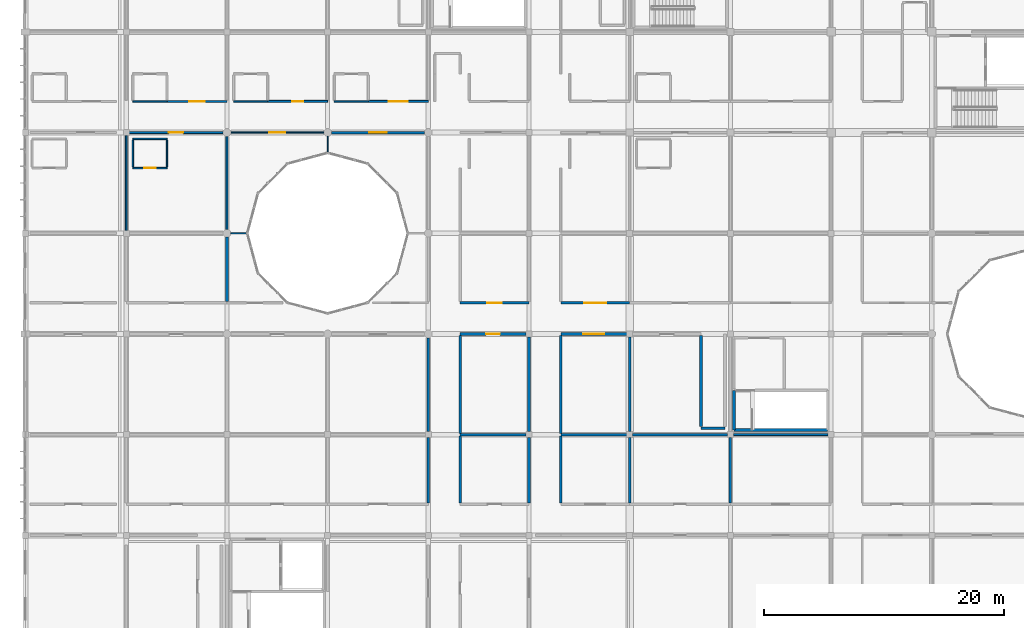
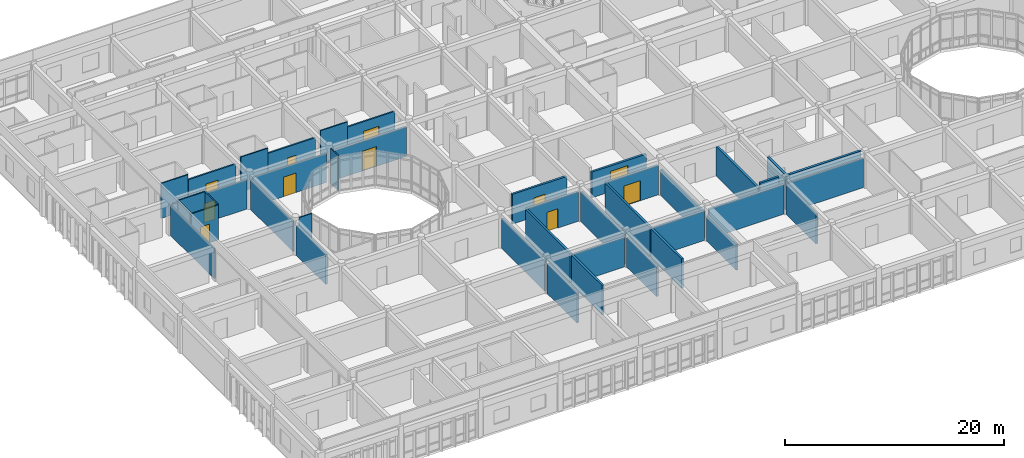
# One storey, part 84 of 119: 41 walls, 11 doors, 11 openings.
"""IFC4 building model written with IfcOpenShell, lengths in metres."""

from ifc_helpers import new_model, si_unit, direction, frame, frame_2d, origin, place, context, subcontext, project, spatial, rectangle, extrude, material, layer, layer_set, type_object, element, fill, save


model = new_model("IFC4")

# Units and contexts
model_context = context("Model", 3, precision=1e-05, world=origin(), true_north=direction((0.0, 1.0)))
body_context = subcontext(model_context, "Body", "Model", "MODEL_VIEW")
ifc_project = project(units=[si_unit("LENGTHUNIT", "METRE"), si_unit("AREAUNIT", "SQUARE_METRE"), si_unit("VOLUMEUNIT", "CUBIC_METRE"), si_unit("PLANEANGLEUNIT", "RADIAN"), si_unit("MASSUNIT", "GRAM", prefix="KILO")], contexts=[model_context])

# Site, building, storey
site_placement = place(None, origin())
site = spatial("IfcSite", under=ifc_project, at=site_placement, CompositionType="ELEMENT")
building_placement = place(site_placement, origin())
building = spatial("IfcBuilding", under=site, at=building_placement, Name="Bramfleet General Hospital", CompositionType="ELEMENT")
storey_placement = place(building_placement, frame((0.0, 0.0, 14.39990234375)))
storey = spatial("IfcBuildingStorey", under=building, at=storey_placement, Name="L03", CompositionType="ELEMENT", Elevation=14.39990234375)

# Walls
ifc_material_1 = material(Name="Concrete C35/45", Category="concrete")
ifc_layer_1 = layer(ifc_material_1, 0.219970703125, Name="WT-IW-01")
ifc_layer_set_1 = layer_set([ifc_layer_1], Name="Concrete C35/45")
wall_type_1 = type_object("IfcWallType", Name="WT-IW-01", PredefinedType="PARTITIONING", material=ifc_layer_set_1)
wall_1_placement = place(storey_placement, frame((36.25, 67.199951171875, 0.0), z_axis=(0.0, 0.0, 1.0), x_axis=(1.0, 0.0, 0.0)))
element("IfcWall", 1, at=wall_1_placement, inside=storey, type_object=wall_type_1, Name="L03 Interior Partition IW-L03-2571", PredefinedType="PARTITIONING", context=body_context, shape_type="SweptSolid", body=[
    extrude(rectangle(XDim=5.5048828125, YDim=0.219970703125, at=frame_2d((2.75244140625, 0.0))), origin(), (0.0, 0.0, 1.0), 3.280029296875),
])
wall_2_placement = place(storey_placement, frame((44.64990234375, 67.199951171875, 0.0), z_axis=(0.0, 0.0, 1.0), x_axis=(1.0, 0.0, 0.0)))
element("IfcWall", 2, at=wall_2_placement, inside=storey, type_object=wall_type_1, Name="L03 Interior Partition IW-L03-2572", PredefinedType="PARTITIONING", context=body_context, shape_type="SweptSolid", body=[
    extrude(rectangle(XDim=5.505126953125, YDim=0.219970703125, at=frame_2d((2.75244140625, 0.0))), origin(), (0.0, 0.0, 1.0), 3.280029296875),
])
wall_3_placement = place(storey_placement, frame((50.64501953125, 67.199951171875, 0.0), z_axis=(0.0, 0.0, 1.0), x_axis=(1.0, 0.0, 0.0)))
element("IfcWall", 3, at=wall_3_placement, inside=storey, type_object=wall_type_1, Name="L03 Interior Partition IW-L03-2573", PredefinedType="PARTITIONING", context=body_context, shape_type="SweptSolid", body=[
    extrude(rectangle(XDim=7.909912109375, YDim=0.219970703125, at=frame_2d((3.955078125, 0.0))), origin(), (0.0, 0.0, 1.0), 3.280029296875),
])
wall_4_placement = place(storey_placement, frame((56.35009765625, 67.75, 0.0), z_axis=(0.0, 0.0, 1.0), x_axis=(1.0, 0.0, 0.0)))
element("IfcWall", 4, at=wall_4_placement, inside=storey, type_object=wall_type_1, Name="L03 Interior Partition IW-L03-2582", PredefinedType="PARTITIONING", context=body_context, shape_type="SweptSolid", body=[
    extrude(rectangle(XDim=2.0, YDim=0.219970703125, at=frame_2d((1.0, 0.0))), origin(), (0.0, 0.0, 1.0), 3.89013671875),
])

# Wall, opening, door
wall_5_placement = place(storey_placement, frame((36.25, 75.60009765625, 0.0), z_axis=(0.0, 0.0, 1.0), x_axis=(1.0, 0.0, 0.0)))
wall_5 = element("IfcWall", 5, at=wall_5_placement, inside=storey, type_object=wall_type_1, Name="L03 Interior Partition IW-L03-2587", PredefinedType="PARTITIONING", context=body_context, shape_type="SweptSolid", body=[
    extrude(rectangle(XDim=5.5048828125, YDim=0.219970703125, at=frame_2d((2.75244140625, 0.0))), origin(), (0.0, 0.0, 1.0), 3.280029296875),
])
opening_1_placement = place(wall_5_placement, frame((2.177490234375, 0.0, 0.0)))
opening_1 = element("IfcOpeningElement", 6, at=opening_1_placement, cuts=wall_5, Name="Opening D1068", PredefinedType="OPENING", context=body_context, shape_type="SweptSolid", body=[
    extrude(rectangle(XDim=1.14990234375, YDim=2.14990234375, at=frame_2d((0.574951171875, 1.074951171875))), frame((0.0, 0.119873046875, 0.0), z_axis=(0.0, -1.0, 0.0), x_axis=(1.0, 0.0, 0.0)), (0.0, 0.0, 1.0), 0.239990234375),
])
ifc_material_2 = material(Name="Stainless steel and acoustic timber leaf", Category="steel")
door_type_1 = type_object("IfcDoorType", Name="DR-D-12", OperationType="NOTDEFINED", PredefinedType="DOOR", material=ifc_material_2)
door_1_placement = place(opening_1_placement, origin())
door_1 = element("IfcDoor", 7, at=door_1_placement, inside=storey, type_object=door_type_1, Name="Surgical Air-Handling Plant Room L03-0408 Door D1068", OperationType="SINGLE_SWING_LEFT", OverallHeight=2.14990234375, OverallWidth=1.14990234375, PredefinedType="DOOR", context=body_context, shape_type="SweptSolid", body=[
    extrude(rectangle(XDim=1.14990234375, YDim=2.14990234375, at=frame_2d((0.574951171875, 1.074951171875))), frame((0.0, 0.02490234375, 0.0), z_axis=(0.0, -1.0, 0.0), x_axis=(1.0, 0.0, 0.0)), (0.0, 0.0, 1.0), 0.050048828125),
])
fill(opening_1, door_1)

wall_6_placement = place(storey_placement, frame((44.64990234375, 75.60009765625, 0.0), z_axis=(0.0, 0.0, 1.0), x_axis=(1.0, 0.0, 0.0)))
wall_6 = element("IfcWall", 8, at=wall_6_placement, inside=storey, type_object=wall_type_1, Name="L03 Interior Partition IW-L03-2588", PredefinedType="PARTITIONING", context=body_context, shape_type="SweptSolid", body=[
    extrude(rectangle(XDim=5.505126953125, YDim=0.219970703125, at=frame_2d((2.75244140625, 0.0))), origin(), (0.0, 0.0, 1.0), 3.280029296875),
])
opening_2_placement = place(wall_6_placement, frame((1.882568359375, 0.0, 0.0)))
opening_2 = element("IfcOpeningElement", 9, at=opening_2_placement, cuts=wall_6, Name="Opening D1075", PredefinedType="OPENING", context=body_context, shape_type="SweptSolid", body=[
    extrude(rectangle(XDim=1.739990234375, YDim=2.239990234375, at=frame_2d((0.8701171875, 1.1201171875))), frame((0.0, 0.119873046875, 0.0), z_axis=(0.0, -1.0, 0.0), x_axis=(1.0, 0.0, 0.0)), (0.0, 0.0, 1.0), 0.239990234375),
])
door_type_2 = type_object("IfcDoorType", Name="DR-D-19", OperationType="NOTDEFINED", PredefinedType="DOOR", material=ifc_material_2)
door_2_placement = place(opening_2_placement, origin())
door_2 = element("IfcDoor", 10, at=door_2_placement, inside=storey, type_object=door_type_2, Name="Surgical Air-Handling Plant Room L03-0508 Door D1075", OperationType="DOUBLE_SWING_RIGHT", OverallHeight=2.239990234375, OverallWidth=1.739990234375, PredefinedType="DOOR", context=body_context, shape_type="SweptSolid", body=[
    extrude(rectangle(XDim=1.739990234375, YDim=2.239990234375, at=frame_2d((0.8701171875, 1.1201171875))), frame((0.0, 0.02490234375, 0.0), z_axis=(0.0, -1.0, 0.0), x_axis=(1.0, 0.0, 0.0)), (0.0, 0.0, 1.0), 0.050048828125),
])
fill(opening_2, door_2)

wall_7_placement = place(storey_placement, frame((36.25, 78.199951171875, 0.0), z_axis=(0.0, 0.0, 1.0), x_axis=(1.0, 0.0, 0.0)))
wall_7 = element("IfcWall", 11, at=wall_7_placement, inside=storey, type_object=wall_type_1, Name="L03 Interior Partition IW-L03-2600", PredefinedType="PARTITIONING", context=body_context, shape_type="SweptSolid", body=[
    extrude(rectangle(XDim=5.75, YDim=0.219970703125, at=frame_2d((2.875, 0.0))), origin(), (0.0, 0.0, 1.0), 3.330078125),
])
opening_3_placement = place(wall_7_placement, frame((2.27490234375, 0.0, 0.0)))
opening_3 = element("IfcOpeningElement", 12, at=opening_3_placement, cuts=wall_7, Name="Opening D1069", PredefinedType="OPENING", context=body_context, shape_type="SweptSolid", body=[
    extrude(rectangle(XDim=1.199951171875, YDim=2.14990234375, at=frame_2d((0.60009765625, 1.074951171875))), frame((0.0, 0.119873046875, 0.0), z_axis=(0.0, -1.0, 0.0), x_axis=(1.0, 0.0, 0.0)), (0.0, 0.0, 1.0), 0.239990234375),
])
door_type_3 = type_object("IfcDoorType", Name="DR-D-13", OperationType="NOTDEFINED", PredefinedType="DOOR", material=ifc_material_2)
door_3_placement = place(opening_3_placement, origin())
door_3 = element("IfcDoor", 13, at=door_3_placement, inside=storey, type_object=door_type_3, Name="Surgical Air-Handling Plant Room L03-0409 Door D1069", OperationType="SINGLE_SWING_RIGHT", OverallHeight=2.14990234375, OverallWidth=1.199951171875, PredefinedType="DOOR", context=body_context, shape_type="SweptSolid", body=[
    extrude(rectangle(XDim=1.199951171875, YDim=2.14990234375, at=frame_2d((0.60009765625, 1.074951171875))), frame((0.0, 0.02490234375, 0.0), z_axis=(0.0, -1.0, 0.0), x_axis=(1.0, 0.0, 0.0)), (0.0, 0.0, 1.0), 0.050048828125),
])
fill(opening_3, door_3)

wall_8_placement = place(storey_placement, frame((44.64990234375, 78.199951171875, 0.0), z_axis=(0.0, 0.0, 1.0), x_axis=(1.0, 0.0, 0.0)))
wall_8 = element("IfcWall", 14, at=wall_8_placement, inside=storey, type_object=wall_type_1, Name="L03 Interior Partition IW-L03-2601", PredefinedType="PARTITIONING", context=body_context, shape_type="SweptSolid", body=[
    extrude(rectangle(XDim=5.75, YDim=0.219970703125, at=frame_2d((2.875, 0.0))), origin(), (0.0, 0.0, 1.0), 2.880126953125),
])
opening_4_placement = place(wall_8_placement, frame((1.955078125, 0.0, 0.0)))
opening_4 = element("IfcOpeningElement", 15, at=opening_4_placement, cuts=wall_8, Name="Opening D1076", PredefinedType="OPENING", context=body_context, shape_type="SweptSolid", body=[
    extrude(rectangle(XDim=1.840087890625, YDim=2.280029296875, at=frame_2d((0.919921875, 1.14013671875))), frame((0.0, 0.119873046875, 0.0), z_axis=(0.0, -1.0, 0.0), x_axis=(1.0, 0.0, 0.0)), (0.0, 0.0, 1.0), 0.239990234375),
])
door_type_4 = type_object("IfcDoorType", Name="DR-D-20", OperationType="NOTDEFINED", PredefinedType="DOOR", material=ifc_material_2)
door_4_placement = place(opening_4_placement, origin())
door_4 = element("IfcDoor", 16, at=door_4_placement, inside=storey, type_object=door_type_4, Name="Surgical Air-Handling Plant Room L03-0509 Door D1076", OperationType="DOUBLE_SWING_LEFT", OverallHeight=2.280029296875, OverallWidth=1.840087890625, PredefinedType="DOOR", context=body_context, shape_type="SweptSolid", body=[
    extrude(rectangle(XDim=1.840087890625, YDim=2.280029296875, at=frame_2d((0.919921875, 1.14013671875))), frame((0.0, 0.02490234375, 0.0), z_axis=(0.0, -1.0, 0.0), x_axis=(1.0, 0.0, 0.0)), (0.0, 0.0, 1.0), 0.050048828125),
])
fill(opening_4, door_4)

wall_9_placement = place(storey_placement, frame((25.52001953125, 92.39990234375, 0.0), z_axis=(0.0, 0.0, 1.0), x_axis=(1.0, 0.0, 0.0)))
wall_9 = element("IfcWall", 17, at=wall_9_placement, inside=storey, type_object=wall_type_1, Name="L03 Interior Partition IW-L03-2641", PredefinedType="PARTITIONING", context=body_context, shape_type="SweptSolid", body=[
    extrude(rectangle(XDim=7.760009765625, YDim=0.219970703125, at=frame_2d((3.8798828125, 0.0))), origin(), (0.0, 0.0, 1.0), 3.280029296875),
])
opening_5_placement = place(wall_9_placement, frame((3.155029296875, 0.0, 0.0)))
opening_5 = element("IfcOpeningElement", 18, at=opening_5_placement, cuts=wall_9, Name="Opening D1059", PredefinedType="OPENING", context=body_context, shape_type="SweptSolid", body=[
    extrude(rectangle(XDim=1.449951171875, YDim=2.199951171875, at=frame_2d((0.72509765625, 1.10009765625))), frame((0.0, 0.119873046875, 0.0), z_axis=(0.0, -1.0, 0.0), x_axis=(1.0, 0.0, 0.0)), (0.0, 0.0, 1.0), 0.239990234375),
])
door_type_5 = type_object("IfcDoorType", Name="DR-D-03", OperationType="NOTDEFINED", PredefinedType="DOOR", material=ifc_material_2)
door_5_placement = place(opening_5_placement, origin())
door_5 = element("IfcDoor", 19, at=door_5_placement, inside=storey, type_object=door_type_5, Name="Courtyard Waiting Lounge L03-0310 Door D1059", OperationType="SINGLE_SWING_RIGHT", OverallHeight=2.199951171875, OverallWidth=1.449951171875, PredefinedType="DOOR", context=body_context, shape_type="SweptSolid", body=[
    extrude(rectangle(XDim=1.449951171875, YDim=2.199951171875, at=frame_2d((0.72509765625, 1.10009765625))), frame((0.0, 0.02490234375, 0.0), z_axis=(0.0, -1.0, 0.0), x_axis=(1.0, 0.0, 0.0)), (0.0, 0.0, 1.0), 0.050048828125),
])
fill(opening_5, door_5)

# Walls
wall_10_placement = place(storey_placement, frame((16.800048828125, 78.31494140625, 0.0), z_axis=(0.0, 0.0, 1.0), x_axis=(0.0, 1.0, 0.0)))
element("IfcWall", 20, at=wall_10_placement, inside=storey, type_object=wall_type_1, Name="L03 Interior Partition IW-L03-2794", PredefinedType="PARTITIONING", context=body_context, shape_type="SweptSolid", body=[
    extrude(rectangle(XDim=5.364990234375, YDim=0.219970703125, at=frame_2d((2.6826171875, 0.0))), origin(), (0.0, 0.0, 1.0), 3.330078125),
])
wall_11_placement = place(storey_placement, frame((33.60009765625, 61.514892578125, 0.0), z_axis=(0.0, 0.0, 1.0), x_axis=(0.0, 1.0, 0.0)))
element("IfcWall", 21, at=wall_11_placement, inside=storey, type_object=wall_type_1, Name="L03 Interior Partition IW-L03-2823", PredefinedType="PARTITIONING", context=body_context, shape_type="SweptSolid", body=[
    extrude(rectangle(XDim=5.440185546875, YDim=0.219970703125, at=frame_2d((2.72021484375, 0.0))), origin(), (0.0, 0.0, 1.0), 3.330078125),
])
wall_12_placement = place(storey_placement, frame((33.60009765625, 67.445068359375, 0.0), z_axis=(0.0, 0.0, 1.0), x_axis=(0.0, 1.0, 0.0)))
element("IfcWall", 22, at=wall_12_placement, inside=storey, type_object=wall_type_1, Name="L03 Interior Partition IW-L03-2824", PredefinedType="PARTITIONING", context=body_context, shape_type="SweptSolid", body=[
    extrude(rectangle(XDim=7.8349609375, YDim=0.219970703125, at=frame_2d((3.91748046875, 0.0))), origin(), (0.0, 0.0, 1.0), 3.330078125),
])
wall_13_placement = place(storey_placement, frame((36.25, 61.514892578125, 0.0), z_axis=(0.0, 0.0, 1.0), x_axis=(0.0, 1.0, 0.0)))
element("IfcWall", 23, at=wall_13_placement, inside=storey, type_object=wall_type_1, Name="L03 Interior Partition IW-L03-2833", PredefinedType="PARTITIONING", context=body_context, shape_type="SweptSolid", body=[
    extrude(rectangle(XDim=5.570068359375, YDim=0.219970703125, at=frame_2d((2.78515625, 0.0))), origin(), (0.0, 0.0, 1.0), 3.280029296875),
])
wall_14_placement = place(storey_placement, frame((36.25, 67.31494140625, 0.0), z_axis=(0.0, 0.0, 1.0), x_axis=(0.0, 1.0, 0.0)))
element("IfcWall", 24, at=wall_14_placement, inside=storey, type_object=wall_type_1, Name="L03 Interior Partition IW-L03-2834", PredefinedType="PARTITIONING", context=body_context, shape_type="SweptSolid", body=[
    extrude(rectangle(XDim=8.170166015625, YDim=0.219970703125, at=frame_2d((4.0849609375, 0.0))), origin(), (0.0, 0.0, 1.0), 3.280029296875),
])
wall_15_placement = place(storey_placement, frame((42.0, 61.514892578125, 0.0), z_axis=(0.0, 0.0, 1.0), x_axis=(0.0, 1.0, 0.0)))
element("IfcWall", 25, at=wall_15_placement, inside=storey, type_object=wall_type_1, Name="L03 Interior Partition IW-L03-2841", PredefinedType="PARTITIONING", context=body_context, shape_type="SweptSolid", body=[
    extrude(rectangle(XDim=5.440185546875, YDim=0.219970703125, at=frame_2d((2.72021484375, 0.0))), origin(), (0.0, 0.0, 1.0), 3.330078125),
])
wall_16_placement = place(storey_placement, frame((42.0, 67.445068359375, 0.0), z_axis=(0.0, 0.0, 1.0), x_axis=(0.0, 1.0, 0.0)))
element("IfcWall", 26, at=wall_16_placement, inside=storey, type_object=wall_type_1, Name="L03 Interior Partition IW-L03-2842", PredefinedType="PARTITIONING", context=body_context, shape_type="SweptSolid", body=[
    extrude(rectangle(XDim=7.909912109375, YDim=0.219970703125, at=frame_2d((3.955078125, 0.0))), origin(), (0.0, 0.0, 1.0), 3.330078125),
])
wall_17_placement = place(storey_placement, frame((44.64990234375, 61.514892578125, 0.0), z_axis=(0.0, 0.0, 1.0), x_axis=(0.0, 1.0, 0.0)))
element("IfcWall", 27, at=wall_17_placement, inside=storey, type_object=wall_type_1, Name="L03 Interior Partition IW-L03-2847", PredefinedType="PARTITIONING", context=body_context, shape_type="SweptSolid", body=[
    extrude(rectangle(XDim=5.570068359375, YDim=0.219970703125, at=frame_2d((2.78515625, 0.0))), origin(), (0.0, 0.0, 1.0), 3.280029296875),
])
wall_18_placement = place(storey_placement, frame((44.64990234375, 67.31494140625, 0.0), z_axis=(0.0, 0.0, 1.0), x_axis=(0.0, 1.0, 0.0)))
element("IfcWall", 28, at=wall_18_placement, inside=storey, type_object=wall_type_1, Name="L03 Interior Partition IW-L03-2848", PredefinedType="PARTITIONING", context=body_context, shape_type="SweptSolid", body=[
    extrude(rectangle(XDim=8.170166015625, YDim=0.219970703125, at=frame_2d((4.0849609375, 0.0))), origin(), (0.0, 0.0, 1.0), 3.280029296875),
])
wall_19_placement = place(storey_placement, frame((50.39990234375, 61.514892578125, 0.0), z_axis=(0.0, 0.0, 1.0), x_axis=(0.0, 1.0, 0.0)))
element("IfcWall", 29, at=wall_19_placement, inside=storey, type_object=wall_type_1, Name="L03 Interior Partition IW-L03-2862", PredefinedType="PARTITIONING", context=body_context, shape_type="SweptSolid", body=[
    extrude(rectangle(XDim=5.440185546875, YDim=0.219970703125, at=frame_2d((2.72021484375, 0.0))), origin(), (0.0, 0.0, 1.0), 2.880126953125),
])
wall_20_placement = place(storey_placement, frame((50.39990234375, 67.445068359375, 0.0), z_axis=(0.0, 0.0, 1.0), x_axis=(0.0, 1.0, 0.0)))
element("IfcWall", 30, at=wall_20_placement, inside=storey, type_object=wall_type_1, Name="L03 Interior Partition IW-L03-2863", PredefinedType="PARTITIONING", context=body_context, shape_type="SweptSolid", body=[
    extrude(rectangle(XDim=7.909912109375, YDim=0.219970703125, at=frame_2d((3.955078125, 0.0))), origin(), (0.0, 0.0, 1.0), 2.880126953125),
])
wall_21_placement = place(storey_placement, frame((56.35009765625, 67.864990234375, 0.0), z_axis=(0.0, 0.0, 1.0), x_axis=(0.0, 1.0, 0.0)))
element("IfcWall", 31, at=wall_21_placement, inside=storey, type_object=wall_type_1, Name="L03 Interior Partition IW-L03-2873", PredefinedType="PARTITIONING", context=body_context, shape_type="SweptSolid", body=[
    extrude(rectangle(XDim=7.6201171875, YDim=0.219970703125, at=frame_2d((3.81005859375, 0.0))), origin(), (0.0, 0.0, 1.0), 3.280029296875),
])
wall_22_placement = place(storey_placement, frame((58.800048828125, 61.514892578125, 0.0), z_axis=(0.0, 0.0, 1.0), x_axis=(0.0, 1.0, 0.0)))
element("IfcWall", 32, at=wall_22_placement, inside=storey, type_object=wall_type_1, Name="L03 Interior Partition IW-L03-2876", PredefinedType="PARTITIONING", context=body_context, shape_type="SweptSolid", body=[
    extrude(rectangle(XDim=5.440185546875, YDim=0.219970703125, at=frame_2d((2.72021484375, 0.0))), origin(), (0.0, 0.0, 1.0), 3.330078125),
])
ifc_material_3 = material(Name="Gypsum plasterboard on acoustic steel studs", Category="steel")
ifc_layer_2 = layer(ifc_material_3, 0.159912109375, Name="WT-IW-06")
ifc_layer_set_2 = layer_set([ifc_layer_2], Name="Gypsum plasterboard on acoustic steel studs")
wall_type_2 = type_object("IfcWallType", Name="WT-IW-06", PredefinedType="PARTITIONING", material=ifc_layer_set_2)
wall_23_placement = place(storey_placement, frame((59.044921875, 67.199951171875, 0.0), z_axis=(0.0, 0.0, 1.0), x_axis=(1.0, 0.0, 0.0)))
element("IfcWall", 33, at=wall_23_placement, inside=storey, type_object=wall_type_2, Name="L03 Interior Partition IW-L03-2574", PredefinedType="PARTITIONING", context=body_context, shape_type="SweptSolid", body=[
    extrude(rectangle(XDim=7.91015625, YDim=0.159912109375, at=frame_2d((3.955078125, 0.0))), origin(), (0.0, 0.0, 1.0), 3.280029296875),
])

# Wall, opening, door
wall_24_placement = place(storey_placement, frame((8.64501953125, 92.39990234375, 0.0), z_axis=(0.0, 0.0, 1.0), x_axis=(1.0, 0.0, 0.0)))
wall_24 = element("IfcWall", 34, at=wall_24_placement, inside=storey, type_object=wall_type_2, Name="L03 Interior Partition IW-L03-2639", PredefinedType="PARTITIONING", context=body_context, shape_type="SweptSolid", body=[
    extrude(rectangle(XDim=7.8349609375, YDim=0.159912109375, at=frame_2d((3.91748046875, 0.0))), origin(), (0.0, 0.0, 1.0), 3.280029296875),
])
opening_6_placement = place(wall_24_placement, frame((3.3173828125, 0.0, 0.0)))
opening_6 = element("IfcOpeningElement", 35, at=opening_6_placement, cuts=wall_24, Name="Opening D1037", PredefinedType="OPENING", context=body_context, shape_type="SweptSolid", body=[
    extrude(rectangle(XDim=1.199951171875, YDim=2.14990234375, at=frame_2d((0.60009765625, 1.074951171875))), frame((0.0, 0.08984375, 0.0), z_axis=(0.0, -1.0, 0.0), x_axis=(1.0, 0.0, 0.0)), (0.0, 0.0, 1.0), 0.179931640625),
])
door_6_placement = place(opening_6_placement, origin())
door_6 = element("IfcDoor", 36, at=door_6_placement, inside=storey, type_object=door_type_3, Name="Neonatal Intensive Care Ward L03-0110 Door D1037", OperationType="SINGLE_SWING_RIGHT", OverallHeight=2.14990234375, OverallWidth=1.199951171875, PredefinedType="DOOR", context=body_context, shape_type="SweptSolid", body=[
    extrude(rectangle(XDim=1.199951171875, YDim=2.14990234375, at=frame_2d((0.60009765625, 1.074951171875))), frame((0.0, 0.02490234375, 0.0), z_axis=(0.0, -1.0, 0.0), x_axis=(1.0, 0.0, 0.0)), (0.0, 0.0, 1.0), 0.050048828125),
])
fill(opening_6, door_6)

wall_25_placement = place(storey_placement, frame((11.800048828125, 95.0, 0.0), z_axis=(0.0, 0.0, 1.0), x_axis=(1.0, 0.0, 0.0)))
wall_25 = element("IfcWall", 37, at=wall_25_placement, inside=storey, type_object=wall_type_2, Name="L03 Interior Partition IW-L03-2661", PredefinedType="PARTITIONING", context=body_context, shape_type="SweptSolid", body=[
    extrude(rectangle(XDim=5.0, YDim=0.159912109375, at=frame_2d((2.5, 0.0))), origin(), (0.0, 0.0, 1.0), 3.330078125),
])
opening_7_placement = place(wall_25_placement, frame((1.85009765625, 0.0, 0.0)))
opening_7 = element("IfcOpeningElement", 38, at=opening_7_placement, cuts=wall_25, Name="Opening D1039", PredefinedType="OPENING", context=body_context, shape_type="SweptSolid", body=[
    extrude(rectangle(XDim=1.300048828125, YDim=2.199951171875, at=frame_2d((0.64990234375, 1.10009765625))), frame((0.0, 0.08984375, 0.0), z_axis=(0.0, -1.0, 0.0), x_axis=(1.0, 0.0, 0.0)), (0.0, 0.0, 1.0), 0.179931640625),
])
door_type_6 = type_object("IfcDoorType", Name="DR-D-15", OperationType="NOTDEFINED", PredefinedType="DOOR", material=ifc_material_2)
door_7_placement = place(opening_7_placement, origin())
door_7 = element("IfcDoor", 39, at=door_7_placement, inside=storey, type_object=door_type_6, Name="Neonatal Intensive Care Ward L03-0111 Door D1039", OperationType="SINGLE_SWING_RIGHT", OverallHeight=2.199951171875, OverallWidth=1.300048828125, PredefinedType="DOOR", context=body_context, shape_type="SweptSolid", body=[
    extrude(rectangle(XDim=1.300048828125, YDim=2.199951171875, at=frame_2d((0.64990234375, 1.10009765625))), frame((0.0, 0.02490234375, 0.0), z_axis=(0.0, -1.0, 0.0), x_axis=(1.0, 0.0, 0.0)), (0.0, 0.0, 1.0), 0.050048828125),
])
fill(opening_7, door_7)

wall_26_placement = place(storey_placement, frame((20.199951171875, 95.0, 0.0), z_axis=(0.0, 0.0, 1.0), x_axis=(1.0, 0.0, 0.0)))
wall_26 = element("IfcWall", 40, at=wall_26_placement, inside=storey, type_object=wall_type_2, Name="L03 Interior Partition IW-L03-2663", PredefinedType="PARTITIONING", context=body_context, shape_type="SweptSolid", body=[
    extrude(rectangle(XDim=5.0, YDim=0.159912109375, at=frame_2d((2.5, 0.0))), origin(), (0.0, 0.0, 1.0), 3.330078125),
])
opening_8_placement = place(wall_26_placement, frame((2.0400390625, 0.0, 0.0)))
opening_8 = element("IfcOpeningElement", 41, at=opening_8_placement, cuts=wall_26, Name="Opening D1049", PredefinedType="OPENING", context=body_context, shape_type="SweptSolid", body=[
    extrude(rectangle(XDim=0.919921875, YDim=2.080078125, at=frame_2d((0.4599609375, 1.0400390625))), frame((0.0, 0.08984375, 0.0), z_axis=(0.0, -1.0, 0.0), x_axis=(1.0, 0.0, 0.0)), (0.0, 0.0, 1.0), 0.179931640625),
])
door_type_7 = type_object("IfcDoorType", Name="DR-D-25", OperationType="NOTDEFINED", PredefinedType="DOOR", material=ifc_material_2)
door_8_placement = place(opening_8_placement, origin())
door_8 = element("IfcDoor", 42, at=door_8_placement, inside=storey, type_object=door_type_7, Name="Neonatal Intensive Care Ward L03-0211 Door D1049", OperationType="SINGLE_SWING_RIGHT", OverallHeight=2.080078125, OverallWidth=0.919921875, PredefinedType="DOOR", context=body_context, shape_type="SweptSolid", body=[
    extrude(rectangle(XDim=0.919921875, YDim=2.080078125, at=frame_2d((0.4599609375, 1.0400390625))), frame((0.0, 0.02490234375, 0.0), z_axis=(0.0, -1.0, 0.0), x_axis=(1.0, 0.0, 0.0)), (0.0, 0.0, 1.0), 0.050048828125),
])
fill(opening_8, door_8)

wall_27_placement = place(storey_placement, frame((28.60009765625, 95.0, 0.0), z_axis=(0.0, 0.0, 1.0), x_axis=(1.0, 0.0, 0.0)))
wall_27 = element("IfcWall", 43, at=wall_27_placement, inside=storey, type_object=wall_type_2, Name="L03 Interior Partition IW-L03-2665", PredefinedType="PARTITIONING", context=body_context, shape_type="SweptSolid", body=[
    extrude(rectangle(XDim=5.0, YDim=0.159912109375, at=frame_2d((2.5, 0.0))), origin(), (0.0, 0.0, 1.0), 3.330078125),
])
opening_9_placement = place(wall_27_placement, frame((1.699951171875, 0.0, 0.0)))
opening_9 = element("IfcOpeningElement", 44, at=opening_9_placement, cuts=wall_27, Name="Opening D1060", PredefinedType="OPENING", context=body_context, shape_type="SweptSolid", body=[
    extrude(rectangle(XDim=1.60009765625, YDim=2.25, at=frame_2d((0.800048828125, 1.125))), frame((0.0, 0.08984375, 0.0), z_axis=(0.0, -1.0, 0.0), x_axis=(1.0, 0.0, 0.0)), (0.0, 0.0, 1.0), 0.179931640625),
])
door_type_8 = type_object("IfcDoorType", Name="DR-D-04", OperationType="NOTDEFINED", PredefinedType="DOOR", material=ifc_material_2)
door_9_placement = place(opening_9_placement, origin())
door_9 = element("IfcDoor", 45, at=door_9_placement, inside=storey, type_object=door_type_8, Name="Neonatal Intensive Care Ward L03-0311 Door D1060", OperationType="DOUBLE_SWING_LEFT", OverallHeight=2.25, OverallWidth=1.60009765625, PredefinedType="DOOR", context=body_context, shape_type="SweptSolid", body=[
    extrude(rectangle(XDim=1.60009765625, YDim=2.25, at=frame_2d((0.800048828125, 1.125))), frame((0.0, 0.02490234375, 0.0), z_axis=(0.0, -1.0, 0.0), x_axis=(1.0, 0.0, 0.0)), (0.0, 0.0, 1.0), 0.050048828125),
])
fill(opening_9, door_9)

# Walls
wall_28_placement = place(storey_placement, frame((8.39990234375, 84.2451171875, 0.0), z_axis=(0.0, 0.0, 1.0), x_axis=(0.0, 1.0, 0.0)))
element("IfcWall", 46, at=wall_28_placement, inside=storey, type_object=wall_type_2, Name="L03 Interior Partition IW-L03-2777", PredefinedType="PARTITIONING", context=body_context, shape_type="SweptSolid", body=[
    extrude(rectangle(XDim=7.909912109375, YDim=0.159912109375, at=frame_2d((3.955078125, 0.0))), origin(), (0.0, 0.0, 1.0), 3.330078125),
])
wall_29_placement = place(storey_placement, frame((16.800048828125, 84.320068359375, 0.0), z_axis=(0.0, 0.0, 1.0), x_axis=(0.0, 1.0, 0.0)))
element("IfcWall", 47, at=wall_29_placement, inside=storey, type_object=wall_type_2, Name="L03 Interior Partition IW-L03-2795", PredefinedType="PARTITIONING", context=body_context, shape_type="SweptSolid", body=[
    extrude(rectangle(XDim=7.760009765625, YDim=0.159912109375, at=frame_2d((3.8798828125, 0.0))), origin(), (0.0, 0.0, 1.0), 3.330078125),
])

# Wall, opening, door
ifc_layer_3 = layer(ifc_material_3, 0.1201171875, Name="WT-IW-10")
ifc_layer_set_3 = layer_set([ifc_layer_3], Name="Gypsum plasterboard on acoustic steel studs")
wall_type_3 = type_object("IfcWallType", Name="WT-IW-10", PredefinedType="PARTITIONING", material=ifc_layer_set_3)
wall_30_placement = place(storey_placement, frame((8.949951171875, 89.429931640625, 0.0), z_axis=(0.0, 0.0, 1.0), x_axis=(1.0, 0.0, 0.0)))
wall_30 = element("IfcWall", 48, at=wall_30_placement, inside=storey, type_object=wall_type_3, Name="L03 Interior Partition IW-L03-2633", PredefinedType="PARTITIONING", context=body_context, shape_type="SweptSolid", body=[
    extrude(rectangle(XDim=2.85009765625, YDim=0.1201171875, at=frame_2d((1.425048828125, 0.0))), origin(), (0.0, 0.0, 1.0), 3.89013671875),
])
opening_10_placement = place(wall_30_placement, frame((0.949951171875, 0.0, 0.0)))
opening_10 = element("IfcOpeningElement", 49, at=opening_10_placement, cuts=wall_30, Name="Opening D1038", PredefinedType="OPENING", context=body_context, shape_type="SweptSolid", body=[
    extrude(rectangle(XDim=0.949951171875, YDim=2.10009765625, at=frame_2d((0.47509765625, 1.050048828125))), frame((0.0, 0.070068359375, 0.0), z_axis=(0.0, -1.0, 0.0), x_axis=(1.0, 0.0, 0.0)), (0.0, 0.0, 1.0), 0.14013671875),
])
door_type_9 = type_object("IfcDoorType", Name="DR-D-10", OperationType="NOTDEFINED", PredefinedType="DOOR", material=ifc_material_2)
door_10_placement = place(opening_10_placement, origin())
door_10 = element("IfcDoor", 50, at=door_10_placement, inside=storey, type_object=door_type_9, Name="Neonatal Family En-Suite WC L03-0110 Door D1038", OperationType="SINGLE_SWING_LEFT", OverallHeight=2.10009765625, OverallWidth=0.949951171875, PredefinedType="DOOR", context=body_context, shape_type="SweptSolid", body=[
    extrude(rectangle(XDim=0.949951171875, YDim=2.10009765625, at=frame_2d((0.47509765625, 1.050048828125))), frame((0.0, 0.02490234375, 0.0), z_axis=(0.0, -1.0, 0.0), x_axis=(1.0, 0.0, 0.0)), (0.0, 0.0, 1.0), 0.050048828125),
])
fill(opening_10, door_10)

# Walls
for number, where, z_axis, x_axis, name in (
    (51, (8.949951171875, 91.8798828125, 0.0), (0.0, 0.0, 1.0), (1.0, 0.0, 0.0), "L03 Interior Partition IW-L03-2636"),
    (52, (8.949951171875, 95.0, 0.0), (0.0, 0.0, 1.0), (1.0, 0.0, 0.0), "L03 Interior Partition IW-L03-2660"),
):
    element("IfcWall", number, at=place(storey_placement, frame(where, z_axis=z_axis, x_axis=x_axis)), inside=storey, type_object=wall_type_3, Name=name, PredefinedType="PARTITIONING", context=body_context, shape_type="SweptSolid", body=[
        extrude(rectangle(XDim=2.85009765625, YDim=0.1201171875, at=frame_2d((1.425048828125, 0.0))), origin(), (0.0, 0.0, 1.0), 3.89013671875),
    ])
wall_31_placement = place(storey_placement, frame((17.35009765625, 95.0, 0.0), z_axis=(0.0, 0.0, 1.0), x_axis=(1.0, 0.0, 0.0)))
element("IfcWall", 53, at=wall_31_placement, inside=storey, type_object=wall_type_3, Name="L03 Interior Partition IW-L03-2662", PredefinedType="PARTITIONING", context=body_context, shape_type="SweptSolid", body=[
    extrude(rectangle(XDim=2.849853515625, YDim=0.1201171875, at=frame_2d((1.4248046875, 0.0))), origin(), (0.0, 0.0, 1.0), 3.89013671875),
])
wall_32_placement = place(storey_placement, frame((25.75, 95.0, 0.0), z_axis=(0.0, 0.0, 1.0), x_axis=(1.0, 0.0, 0.0)))
element("IfcWall", 54, at=wall_32_placement, inside=storey, type_object=wall_type_3, Name="L03 Interior Partition IW-L03-2664", PredefinedType="PARTITIONING", context=body_context, shape_type="SweptSolid", body=[
    extrude(rectangle(XDim=2.85009765625, YDim=0.1201171875, at=frame_2d((1.425048828125, 0.0))), origin(), (0.0, 0.0, 1.0), 3.89013671875),
])
for number, where, z_axis, x_axis, name in (
    (55, (8.949951171875, 89.544921875, 0.0), (0.0, 0.0, 1.0), (0.0, 1.0, 0.0), "L03 Interior Partition IW-L03-2781"),
    (56, (11.800048828125, 89.544921875, 0.0), (0.0, 0.0, 1.0), (0.0, 1.0, 0.0), "L03 Interior Partition IW-L03-2785"),
):
    element("IfcWall", number, at=place(storey_placement, frame(where, z_axis=z_axis, x_axis=x_axis)), inside=storey, type_object=wall_type_3, Name=name, PredefinedType="PARTITIONING", context=body_context, shape_type="SweptSolid", body=[
        extrude(rectangle(XDim=2.219970703125, YDim=0.1201171875, at=frame_2d((1.10986328125, 0.0))), origin(), (0.0, 0.0, 1.0), 3.89013671875),
    ])
ifc_layer_4 = layer(ifc_material_3, 0.112060546875, Name="WT-IW-11")
ifc_layer_set_4 = layer_set([ifc_layer_4], Name="Gypsum plasterboard on acoustic steel studs")
wall_type_4 = type_object("IfcWallType", Name="WT-IW-11", PredefinedType="PARTITIONING", material=ifc_layer_set_4)
wall_33_placement = place(storey_placement, frame((17.1201171875, 84.0, 0.0), z_axis=(0.0, 0.0, 1.0), x_axis=(1.0, 0.0, 0.0)))
element("IfcWall", 57, at=wall_33_placement, inside=storey, type_object=wall_type_4, Name="L03 Interior Partition IW-L03-2615", PredefinedType="PARTITIONING", context=body_context, shape_type="SweptSolid", body=[
    extrude(rectangle(XDim=1.3798828125, YDim=0.112060546875, at=frame_2d((0.68994140625, 0.0))), origin(), (0.0, 0.0, 1.0), 3.89013671875),
])

# Wall, opening, door
ifc_layer_5 = layer(ifc_material_3, 0.10009765625, Name="WT-IW-12")
ifc_layer_set_5 = layer_set([ifc_layer_5], Name="Gypsum plasterboard on acoustic steel studs")
wall_type_5 = type_object("IfcWallType", Name="WT-IW-12", PredefinedType="PARTITIONING", material=ifc_layer_set_5)
wall_34_placement = place(storey_placement, frame((17.1201171875, 92.39990234375, 0.0), z_axis=(0.0, 0.0, 1.0), x_axis=(1.0, 0.0, 0.0)))
wall_34 = element("IfcWall", 58, at=wall_34_placement, inside=storey, type_object=wall_type_5, Name="L03 Interior Partition IW-L03-2640", PredefinedType="PARTITIONING", context=body_context, shape_type="SweptSolid", body=[
    extrude(rectangle(XDim=7.759765625, YDim=0.10009765625, at=frame_2d((3.8798828125, 0.0))), origin(), (0.0, 0.0, 1.0), 3.280029296875),
])
opening_11_placement = place(wall_34_placement, frame((3.219970703125, 0.0, 0.0)))
opening_11 = element("IfcOpeningElement", 59, at=opening_11_placement, cuts=wall_34, Name="Opening D1048", PredefinedType="OPENING", context=body_context, shape_type="SweptSolid", body=[
    extrude(rectangle(XDim=1.320068359375, YDim=2.179931640625, at=frame_2d((0.66015625, 1.08984375))), frame((0.0, 0.06005859375, 0.0), z_axis=(0.0, -1.0, 0.0), x_axis=(1.0, 0.0, 0.0)), (0.0, 0.0, 1.0), 0.1201171875),
])
door_type_10 = type_object("IfcDoorType", Name="DR-D-24", OperationType="NOTDEFINED", PredefinedType="DOOR", material=ifc_material_2)
door_11_placement = place(opening_11_placement, origin())
door_11 = element("IfcDoor", 60, at=door_11_placement, inside=storey, type_object=door_type_10, Name="Courtyard Waiting Lounge L03-0210 Door D1048", OperationType="SINGLE_SWING_LEFT", OverallHeight=2.179931640625, OverallWidth=1.320068359375, PredefinedType="DOOR", context=body_context, shape_type="SweptSolid", body=[
    extrude(rectangle(XDim=1.320068359375, YDim=2.179931640625, at=frame_2d((0.66015625, 1.08984375))), frame((0.0, 0.02490234375, 0.0), z_axis=(0.0, -1.0, 0.0), x_axis=(1.0, 0.0, 0.0)), (0.0, 0.0, 1.0), 0.050048828125),
])
fill(opening_11, door_11)

# Walls
wall_35_placement = place(storey_placement, frame((25.199951171875, 90.699951171875, 0.0), z_axis=(0.0, 0.0, 1.0), x_axis=(0.0, 1.0, 0.0)))
element("IfcWall", 61, at=wall_35_placement, inside=storey, type_object=wall_type_5, Name="L03 Interior Partition IW-L03-2808", PredefinedType="PARTITIONING", context=body_context, shape_type="SweptSolid", body=[
    extrude(rectangle(XDim=1.380126953125, YDim=0.10009765625, at=frame_2d((0.68994140625, 0.0))), origin(), (0.0, 0.0, 1.0), 3.89013671875),
])
ifc_material_4 = material(Name="Concrete C40/50", Category="concrete")
ifc_layer_6 = layer(ifc_material_4, 0.239990234375, Name="WT-SW-240")
ifc_layer_set_6 = layer_set([ifc_layer_6], Name="Concrete C40/50")
wall_type_6 = type_object("IfcWallType", Name="WT-SW-240", PredefinedType="SHEAR", material=ifc_layer_set_6)
wall_36_placement = place(storey_placement, frame((59.10009765625, 67.580078125, 0.0), z_axis=(0.0, 0.0, 1.0), x_axis=(1.0, 0.0, 0.0)))
element("IfcWall", 62, at=wall_36_placement, inside=storey, type_object=wall_type_6, Name="L03 C13 South Stair Shear Wall", PredefinedType="SHEAR", context=body_context, shape_type="SweptSolid", body=[
    extrude(rectangle(XDim=7.81982421875, YDim=0.239990234375, at=frame_2d((3.909912109375, 0.0))), origin(), (0.0, 0.0, 1.0), 3.900146484375),
])
wall_37_placement = place(storey_placement, frame((59.10009765625, 67.580078125, 0.0), z_axis=(0.0, 0.0, 1.0), x_axis=(0.0, 1.0, 0.0)))
element("IfcWall", 63, at=wall_37_placement, inside=storey, type_object=wall_type_6, Name="L03 C13 West Stair Shear Wall", PredefinedType="SHEAR", context=body_context, shape_type="SweptSolid", body=[
    extrude(rectangle(XDim=3.31982421875, YDim=0.239990234375, at=frame_2d((1.659912109375, 0.0))), origin(), (0.0, 0.0, 1.0), 3.900146484375),
])

save(model, "model.ifc")
